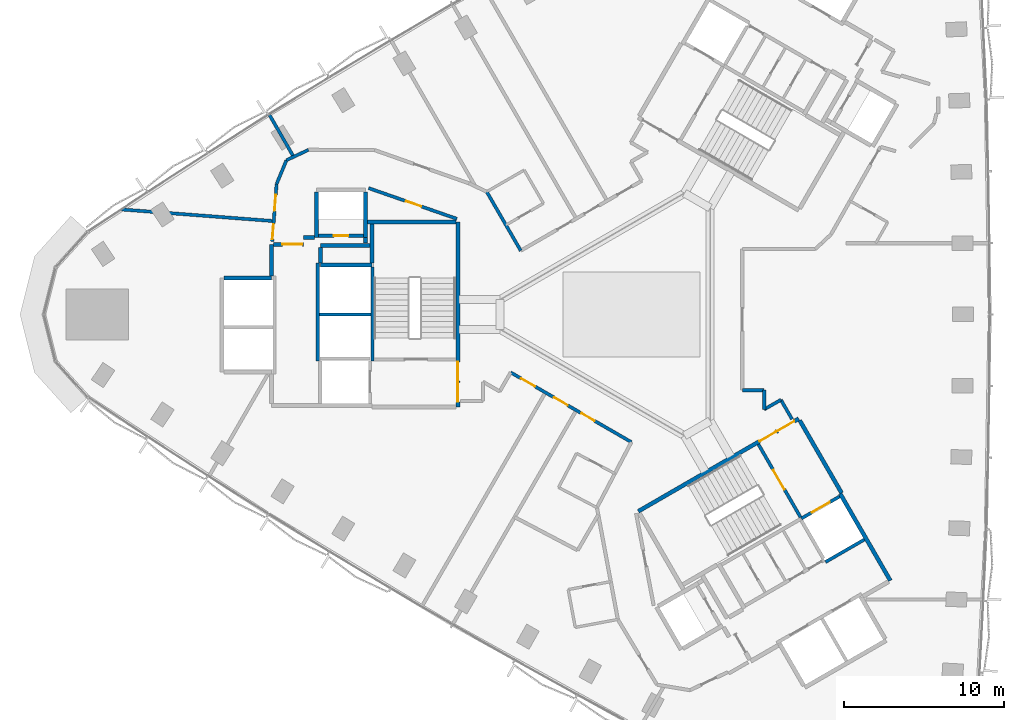
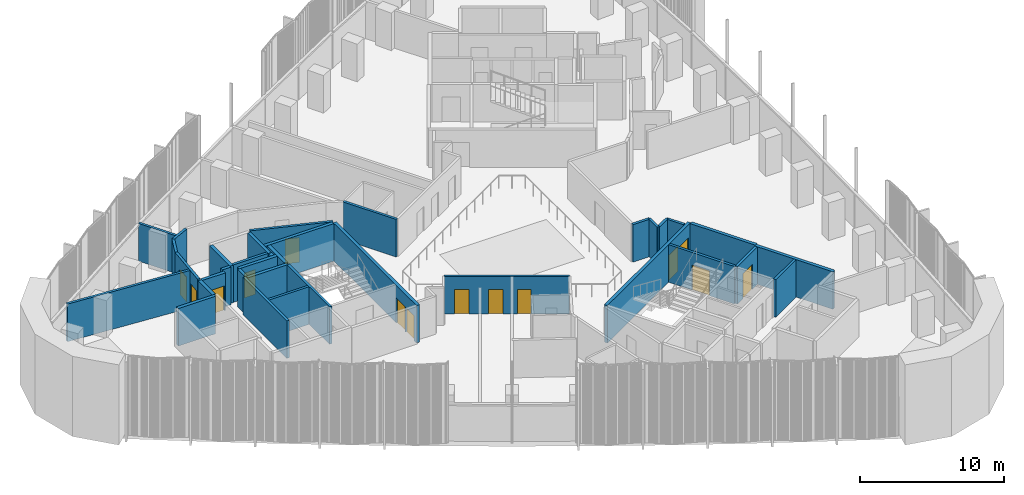
# One storey, part 9 of 15: 35 walls, 14 doors, 14 openings.
"""IFC4 building model written with IfcOpenShell, lengths in metres."""

from ifc_helpers import new_model, si_unit, direction, frame, frame_2d, origin, place, context, subcontext, project, spatial, rectangle, extrude, material, layer, layer_set, type_object, element, fill, save


model = new_model("IFC4")

# Units and contexts
model_context = context("Model", 3, precision=1e-05, world=origin(), true_north=direction((0.0, 1.0)))
body_context = subcontext(model_context, "Body", "Model", "MODEL_VIEW")
ifc_project = project(units=[si_unit("LENGTHUNIT", "METRE"), si_unit("AREAUNIT", "SQUARE_METRE"), si_unit("VOLUMEUNIT", "CUBIC_METRE"), si_unit("PLANEANGLEUNIT", "RADIAN"), si_unit("MASSUNIT", "GRAM", prefix="KILO")], contexts=[model_context])

# Site, building, storey
site_placement = place(None, origin())
site = spatial("IfcSite", under=ifc_project, at=site_placement, CompositionType="ELEMENT")
building_placement = place(site_placement, origin())
building = spatial("IfcBuilding", under=site, at=building_placement, Name="Tamra Quay Hotel Tower", CompositionType="ELEMENT")
storey_placement = place(building_placement, frame((0.0, 0.0, 79.39990234375)))
storey = spatial("IfcBuildingStorey", under=building, at=storey_placement, Name="L18", CompositionType="ELEMENT", Elevation=79.39990234375)

# Walls
ifc_material_1 = material(Name="Concrete M70", Category="concrete")
ifc_layer_1 = layer(ifc_material_1, 0.199951171875)
ifc_layer_set_1 = layer_set([ifc_layer_1], Name="Concrete M70 core wall 200")
wall_type_1 = type_object("IfcWallType", Name="Concrete M70 core wall 200", PredefinedType="SHEAR", material=ifc_layer_set_1)
wall_1_placement = place(storey_placement, frame((-16.162109375, 2.95068359375, 0.0), z_axis=(0.0, 0.0, 1.0), x_axis=(0.0, -1.0, 0.0)))
element("IfcWall", 1, at=wall_1_placement, inside=storey, type_object=wall_type_1, Name="CW2", PredefinedType="SHEAR", context=body_context, shape_type="SweptSolid", body=[
    extrude(rectangle(XDim=5.850830078125, YDim=0.199951171875, at=frame_2d((2.92529296875, 0.0))), origin(), (0.0, 0.0, 1.0), 3.175048828125),
])
wall_2_placement = place(storey_placement, frame((-19.5625, -2.900146484375, 0.0), z_axis=(0.0, 0.0, 1.0), x_axis=(0.0, 1.0, 0.0)))
element("IfcWall", 2, at=wall_2_placement, inside=storey, type_object=wall_type_1, Name="CW2", PredefinedType="SHEAR", context=body_context, shape_type="SweptSolid", body=[
    extrude(rectangle(XDim=6.100341796875, YDim=0.199951171875, at=frame_2d((3.05029296875, 0.0))), origin(), (0.0, 0.0, 1.0), 3.175048828125),
])
wall_3_placement = place(storey_placement, frame((-16.26318359375, 0.0, 0.0), z_axis=(0.0, 0.0, 1.0), x_axis=(-1.0, 0.0, 0.0)))
element("IfcWall", 3, at=wall_3_placement, inside=storey, type_object=wall_type_1, Name="CW2", PredefinedType="SHEAR", context=body_context, shape_type="SweptSolid", body=[
    extrude(rectangle(XDim=3.1982421875, YDim=0.199951171875, at=frame_2d((1.59912109375, 0.0))), origin(), (0.0, 0.0, 1.0), 3.175048828125),
])

# Wall, opening, door
wall_4_placement = place(storey_placement, frame((-19.51123046875, 4.91015625, 0.0), z_axis=(0.0, 0.0, 1.0), x_axis=(1.0, 0.0, 0.0)))
wall_4 = element("IfcWall", 4, at=wall_4_placement, inside=storey, type_object=wall_type_1, Name="CW2", PredefinedType="SHEAR", context=body_context, shape_type="SweptSolid", body=[
    extrude(rectangle(XDim=2.7978515625, YDim=0.199951171875, at=frame_2d((1.39892578125, 0.0))), origin(), (0.0, 0.0, 1.0), 3.175048828125),
])
opening_1_placement = place(wall_4_placement, frame((0.948974609375, 0.0, 0.0)))
opening_1 = element("IfcOpeningElement", 5, at=opening_1_placement, cuts=wall_4, Name="Opening D1", PredefinedType="OPENING", context=body_context, shape_type="SweptSolid", body=[
    extrude(rectangle(XDim=0.89990234375, YDim=2.10009765625, at=frame_2d((0.449951171875, 1.050048828125))), frame((0.0, 0.10986328125, 0.0), z_axis=(0.0, -1.0, 0.0), x_axis=(1.0, 0.0, 0.0)), (0.0, 0.0, 1.0), 0.219970703125),
])
ifc_material_2 = material(Name="Core door D1 900x2100 LH")
door_type_1 = type_object("IfcDoorType", Name="Core door D1 900x2100 LH", OperationType="NOTDEFINED", PredefinedType="DOOR", material=ifc_material_2)
door_1_placement = place(opening_1_placement, origin())
door_1 = element("IfcDoor", 6, at=door_1_placement, inside=storey, type_object=door_type_1, Name="D1", OperationType="SINGLE_SWING_LEFT", OverallHeight=2.10009765625, OverallWidth=0.89990234375, PredefinedType="DOOR", context=body_context, shape_type="SweptSolid", body=[
    extrude(rectangle(XDim=0.89990234375, YDim=2.10009765625, at=frame_2d((0.449951171875, 1.050048828125))), frame((0.0, 0.02490234375, 0.0), z_axis=(0.0, -1.0, 0.0), x_axis=(1.0, 0.0, 0.0)), (0.0, 0.0, 1.0), 0.050048828125),
])
fill(opening_1, door_1)

wall_5_placement = place(storey_placement, frame((7.906494140625, -8.094482421875, 0.0), z_axis=(0.0, 0.0, 1.0), x_axis=(0.500024287448, -0.866011380966, 0.0)))
wall_5 = element("IfcWall", 7, at=wall_5_placement, inside=storey, type_object=wall_type_1, Name="CW2", PredefinedType="SHEAR", context=body_context, shape_type="SweptSolid", body=[
    extrude(rectangle(XDim=5.251220703125, YDim=0.199951171875, at=frame_2d((2.62548828125, 0.0))), origin(), (0.0, 0.0, 1.0), 3.175048828125),
])
opening_2_placement = place(wall_5_placement, frame((1.84912109375, 0.0, 0.0)))
opening_2 = element("IfcOpeningElement", 8, at=opening_2_placement, cuts=wall_5, Name="Opening FD2", PredefinedType="OPENING", context=body_context, shape_type="SweptSolid", body=[
    extrude(rectangle(XDim=1.39990234375, YDim=2.10009765625, at=frame_2d((0.699951171875, 1.050048828125))), frame((0.0, 0.10986328125, 0.0), z_axis=(0.0, -1.0, 0.0), x_axis=(1.0, 0.0, 0.0)), (0.0, 0.0, 1.0), 0.219970703125),
])
ifc_material_3 = material(Name="Core door FD2 1400x2100 LH")
door_type_2 = type_object("IfcDoorType", Name="Core door FD2 1400x2100 LH", OperationType="NOTDEFINED", PredefinedType="DOOR", material=ifc_material_3)
door_2_placement = place(opening_2_placement, origin())
door_2 = element("IfcDoor", 9, at=door_2_placement, inside=storey, type_object=door_type_2, Name="FD2", OperationType="SINGLE_SWING_LEFT", OverallHeight=2.10009765625, OverallWidth=1.39990234375, PredefinedType="DOOR", context=body_context, shape_type="SweptSolid", body=[
    extrude(rectangle(XDim=1.39990234375, YDim=2.10009765625, at=frame_2d((0.699951171875, 1.050048828125))), frame((0.0, 0.02490234375, 0.0), z_axis=(0.0, -1.0, 0.0), x_axis=(1.0, 0.0, 0.0)), (0.0, 0.0, 1.0), 0.050048828125),
])
fill(opening_2, door_2)

wall_6_placement = place(storey_placement, frame((10.587158203125, -12.72314453125, 0.0), z_axis=(0.0, 0.0, 1.0), x_axis=(0.866037306777, 0.499979382845, 0.0)))
wall_6 = element("IfcWall", 10, at=wall_6_placement, inside=storey, type_object=wall_type_1, Name="CW2", PredefinedType="SHEAR", context=body_context, shape_type="SweptSolid", body=[
    extrude(rectangle(XDim=2.74169921875, YDim=0.199951171875, at=frame_2d((1.370849609375, 0.0))), origin(), (0.0, 0.0, 1.0), 3.175048828125),
])
opening_3_placement = place(wall_6_placement, frame((0.742919921875, 0.0, 0.0)))
opening_3 = element("IfcOpeningElement", 11, at=opening_3_placement, cuts=wall_6, Name="Opening LD", PredefinedType="OPENING", context=body_context, shape_type="SweptSolid", body=[
    extrude(rectangle(XDim=1.300048828125, YDim=2.10009765625, at=frame_2d((0.64990234375, 1.050048828125))), frame((0.0, 0.10986328125, 0.0), z_axis=(0.0, -1.0, 0.0), x_axis=(1.0, 0.0, 0.0)), (0.0, 0.0, 1.0), 0.219970703125),
])
ifc_material_4 = material(Name="Landing door LD 1300 sliding to left")
door_type_3 = type_object("IfcDoorType", Name="Landing door LD 1300 sliding to left", OperationType="NOTDEFINED", PredefinedType="DOOR", material=ifc_material_4)
door_3_placement = place(opening_3_placement, origin())
door_3 = element("IfcDoor", 12, at=door_3_placement, inside=storey, type_object=door_type_3, Name="LD", OperationType="SLIDING_TO_LEFT", OverallHeight=2.10009765625, OverallWidth=1.300048828125, PredefinedType="DOOR", context=body_context, shape_type="SweptSolid", body=[
    extrude(rectangle(XDim=1.300048828125, YDim=2.10009765625, at=frame_2d((0.64990234375, 1.050048828125))), frame((0.0, 0.02490234375, 0.0), z_axis=(0.0, -1.0, 0.0), x_axis=(1.0, 0.0, 0.0)), (0.0, 0.0, 1.0), 0.050048828125),
])
fill(opening_3, door_3)

# Wall
wall_7_placement = place(storey_placement, frame((14.51171875, -14.037109375, 0.0), z_axis=(0.0, 0.0, 1.0), x_axis=(-0.866044696403, -0.499966582715, 0.0)))
element("IfcWall", 13, at=wall_7_placement, inside=storey, type_object=wall_type_1, Name="CW2", PredefinedType="SHEAR", context=body_context, shape_type="SweptSolid", body=[
    extrude(rectangle(XDim=2.799072265625, YDim=0.199951171875, at=frame_2d((1.3994140625, 0.0))), origin(), (0.0, 0.0, 1.0), 3.175048828125),
])

# Wall, openings, doors
ifc_layer_2 = layer(ifc_material_1, 0.25)
ifc_layer_set_2 = layer_set([ifc_layer_2], Name="Concrete M70 core wall 250")
wall_type_2 = type_object("IfcWallType", Name="Concrete M70 core wall 250", PredefinedType="SHEAR", material=ifc_layer_set_2)
wall_8_placement = place(storey_placement, frame((-10.83740234375, 5.77490234375, 0.0), z_axis=(0.0, 0.0, 1.0), x_axis=(0.0, -1.0, 0.0)))
wall_8 = element("IfcWall", 14, at=wall_8_placement, inside=storey, type_object=wall_type_2, Name="CW1", PredefinedType="SHEAR", context=body_context, shape_type="SweptSolid", body=[
    extrude(rectangle(XDim=11.5498046875, YDim=0.25, at=frame_2d((5.77490234375, 0.0))), origin(), (0.0, 0.0, 1.0), 3.175048828125),
])
opening_4_placement = place(wall_8_placement, frame((10.02490234375, 0.0, 0.0)))
opening_4 = element("IfcOpeningElement", 15, at=opening_4_placement, cuts=wall_8, Name="Opening FD1", PredefinedType="OPENING", context=body_context, shape_type="SweptSolid", body=[
    extrude(rectangle(XDim=1.199951171875, YDim=2.10009765625, at=frame_2d((0.60009765625, 1.050048828125))), frame((0.0, 0.135009765625, 0.0), z_axis=(0.0, -1.0, 0.0), x_axis=(1.0, 0.0, 0.0)), (0.0, 0.0, 1.0), 0.27001953125),
])
opening_5_placement = place(wall_8_placement, frame((8.72509765625, 0.0, 0.0)))
opening_5 = element("IfcOpeningElement", 16, at=opening_5_placement, cuts=wall_8, Name="Opening FD1", PredefinedType="OPENING", context=body_context, shape_type="SweptSolid", body=[
    extrude(rectangle(XDim=1.199951171875, YDim=2.10009765625, at=frame_2d((0.60009765625, 1.050048828125))), frame((0.0, 0.135009765625, 0.0), z_axis=(0.0, -1.0, 0.0), x_axis=(1.0, 0.0, 0.0)), (0.0, 0.0, 1.0), 0.27001953125),
])
ifc_material_5 = material(Name="Core door FD1 1200x2100 LH")
door_type_4 = type_object("IfcDoorType", Name="Core door FD1 1200x2100 LH", OperationType="NOTDEFINED", PredefinedType="DOOR", material=ifc_material_5)
door_4_placement = place(opening_4_placement, origin())
door_4 = element("IfcDoor", 17, at=door_4_placement, inside=storey, type_object=door_type_4, Name="FD1", OperationType="SINGLE_SWING_LEFT", OverallHeight=2.10009765625, OverallWidth=1.199951171875, PredefinedType="DOOR", context=body_context, shape_type="SweptSolid", body=[
    extrude(rectangle(XDim=1.199951171875, YDim=2.10009765625, at=frame_2d((0.60009765625, 1.050048828125))), frame((0.0, 0.02490234375, 0.0), z_axis=(0.0, -1.0, 0.0), x_axis=(1.0, 0.0, 0.0)), (0.0, 0.0, 1.0), 0.050048828125),
])
fill(opening_4, door_4)
ifc_material_6 = material(Name="Core door FD1 1200x2100 RH")
door_type_5 = type_object("IfcDoorType", Name="Core door FD1 1200x2100 RH", OperationType="NOTDEFINED", PredefinedType="DOOR", material=ifc_material_6)
door_5_placement = place(opening_5_placement, origin())
door_5 = element("IfcDoor", 18, at=door_5_placement, inside=storey, type_object=door_type_5, Name="FD1", OperationType="SINGLE_SWING_RIGHT", OverallHeight=2.10009765625, OverallWidth=1.199951171875, PredefinedType="DOOR", context=body_context, shape_type="SweptSolid", body=[
    extrude(rectangle(XDim=1.199951171875, YDim=2.10009765625, at=frame_2d((0.60009765625, 1.050048828125))), frame((0.0, 0.02490234375, 0.0), z_axis=(0.0, -1.0, 0.0), x_axis=(1.0, 0.0, 0.0)), (0.0, 0.0, 1.0), 0.050048828125),
])
fill(opening_5, door_5)

# Walls
wall_9_placement = place(storey_placement, frame((-16.47216796875, 5.77490234375, 0.0), z_axis=(0.0, 0.0, 1.0), x_axis=(1.0, 0.0, 0.0)))
element("IfcWall", 19, at=wall_9_placement, inside=storey, type_object=wall_type_2, Name="CW1", PredefinedType="SHEAR", context=body_context, shape_type="SweptSolid", body=[
    extrude(rectangle(XDim=5.509521484375, YDim=0.25, at=frame_2d((2.7548828125, 0.0))), origin(), (0.0, 0.0, 1.0), 3.175048828125),
])
wall_10_placement = place(storey_placement, frame((-19.38720703125, 3.074951171875, 0.0), z_axis=(0.0, 0.0, 1.0), x_axis=(1.0, 0.0, 0.0)))
element("IfcWall", 20, at=wall_10_placement, inside=storey, type_object=wall_type_2, Name="CW1", PredefinedType="SHEAR", context=body_context, shape_type="SweptSolid", body=[
    extrude(rectangle(XDim=3.199951171875, YDim=0.25, at=frame_2d((1.60009765625, 0.0))), origin(), (0.0, 0.0, 1.0), 3.175048828125),
])
wall_11_placement = place(storey_placement, frame((-25.411865234375, 2.27490234375, 0.0), z_axis=(0.0, 0.0, 1.0), x_axis=(1.0, 0.0, 0.0)))
element("IfcWall", 21, at=wall_11_placement, inside=storey, type_object=wall_type_2, Name="CW1", PredefinedType="SHEAR", context=body_context, shape_type="SweptSolid", body=[
    extrude(rectangle(XDim=2.974609375, YDim=0.25, at=frame_2d((1.4873046875, 0.0))), origin(), (0.0, 0.0, 1.0), 3.175048828125),
])
for number, where, z_axis, x_axis, name in (
    (22, (-16.58740234375, 7.649658203125, 0.0), (0.0, 0.0, 1.0), (0.0, -1.0, 0.0), "CW1"),
    (23, (-19.63720703125, 4.784912109375, 0.0), (0.0, 0.0, 1.0), (0.0, 1.0, 0.0), "CW1"),
):
    element("IfcWall", number, at=place(storey_placement, frame(where, z_axis=z_axis, x_axis=x_axis)), inside=storey, type_object=wall_type_2, Name=name, PredefinedType="SHEAR", context=body_context, shape_type="SweptSolid", body=[
        extrude(rectangle(XDim=2.86474609375, YDim=0.25, at=frame_2d((1.432373046875, 0.0))), origin(), (0.0, 0.0, 1.0), 3.175048828125),
    ])
wall_12_placement = place(storey_placement, frame((-16.30224609375, 4.31494140625, 0.0), z_axis=(0.0, 0.0, 1.0), x_axis=(-1.0, 0.0, 0.0)))
element("IfcWall", 24, at=wall_12_placement, inside=storey, type_object=wall_type_2, Name="CW1", PredefinedType="SHEAR", context=body_context, shape_type="SweptSolid", body=[
    extrude(rectangle(XDim=3.0849609375, YDim=0.25, at=frame_2d((1.54248046875, 0.0))), origin(), (0.0, 0.0, 1.0), 3.175048828125),
])
wall_13_placement = place(storey_placement, frame((-16.187255859375, 3.200439453125, 0.0), z_axis=(0.0, 0.0, 1.0), x_axis=(0.0, 1.0, 0.0)))
element("IfcWall", 25, at=wall_13_placement, inside=storey, type_object=wall_type_2, Name="CW1", PredefinedType="SHEAR", context=body_context, shape_type="SweptSolid", body=[
    extrude(rectangle(XDim=2.44921875, YDim=0.25, at=frame_2d((1.224609375, 0.0))), origin(), (0.0, 0.0, 1.0), 3.175048828125),
])
wall_14_placement = place(storey_placement, frame((-22.437255859375, 2.400390625, 0.0), z_axis=(0.0, 0.0, 1.0), x_axis=(0.0, 1.0, 0.0)))
element("IfcWall", 26, at=wall_14_placement, inside=storey, type_object=wall_type_2, Name="CW1", PredefinedType="SHEAR", context=body_context, shape_type="SweptSolid", body=[
    extrude(rectangle(XDim=1.974609375, YDim=0.25, at=frame_2d((0.9873046875, 0.0))), origin(), (0.0, 0.0, 1.0), 3.175048828125),
])

# Wall, opening, door
wall_15_placement = place(storey_placement, frame((-22.311767578125, 4.375, 0.0), z_axis=(0.0, 0.0, 1.0), x_axis=(1.0, 0.0, 0.0)))
wall_15 = element("IfcWall", 27, at=wall_15_placement, inside=storey, type_object=wall_type_2, Name="CW1", PredefinedType="SHEAR", context=body_context, shape_type="SweptSolid", body=[
    extrude(rectangle(XDim=1.864501953125, YDim=0.25, at=frame_2d((0.93212890625, 0.0))), origin(), (0.0, 0.0, 1.0), 3.175048828125),
])
opening_6_placement = place(wall_15_placement, frame((0.53466796875, 0.0, 0.0)))
opening_6 = element("IfcOpeningElement", 28, at=opening_6_placement, cuts=wall_15, Name="Opening FD3", PredefinedType="OPENING", context=body_context, shape_type="SweptSolid", body=[
    extrude(rectangle(XDim=1.25, YDim=2.10009765625, at=frame_2d((0.625, 1.050048828125))), frame((0.0, 0.135009765625, 0.0), z_axis=(0.0, -1.0, 0.0), x_axis=(1.0, 0.0, 0.0)), (0.0, 0.0, 1.0), 0.27001953125),
])
ifc_material_7 = material(Name="Core door FD3 1250x2100 LH")
door_type_6 = type_object("IfcDoorType", Name="Core door FD3 1250x2100 LH", OperationType="NOTDEFINED", PredefinedType="DOOR", material=ifc_material_7)
door_6_placement = place(opening_6_placement, origin())
door_6 = element("IfcDoor", 29, at=door_6_placement, inside=storey, type_object=door_type_6, Name="FD3", OperationType="SINGLE_SWING_LEFT", OverallHeight=2.10009765625, OverallWidth=1.25, PredefinedType="DOOR", context=body_context, shape_type="SweptSolid", body=[
    extrude(rectangle(XDim=1.25, YDim=2.10009765625, at=frame_2d((0.625, 1.050048828125))), frame((0.0, 0.02490234375, 0.0), z_axis=(0.0, -1.0, 0.0), x_axis=(1.0, 0.0, 0.0)), (0.0, 0.0, 1.0), 0.050048828125),
])
fill(opening_6, door_6)

# Walls
wall_16_placement = place(storey_placement, frame((-19.38720703125, 4.189697265625, 0.0), z_axis=(0.0, 0.0, 1.0), x_axis=(0.0, -1.0, 0.0)))
element("IfcWall", 30, at=wall_16_placement, inside=storey, type_object=wall_type_2, Name="CW1", PredefinedType="SHEAR", context=body_context, shape_type="SweptSolid", body=[
    extrude(rectangle(XDim=0.9892578125, YDim=0.25, at=frame_2d((0.49462890625, 0.0))), origin(), (0.0, 0.0, 1.0), 3.175048828125),
])
wall_17_placement = place(storey_placement, frame((-20.447265625, 4.784912109375, 0.0), z_axis=(0.0, 0.0, 1.0), x_axis=(1.0, 0.0, 0.0)))
element("IfcWall", 31, at=wall_17_placement, inside=storey, type_object=wall_type_2, Name="CW1", PredefinedType="SHEAR", context=body_context, shape_type="SweptSolid", body=[
    extrude(rectangle(XDim=0.6845703125, YDim=0.25, at=frame_2d((0.34228515625, 0.0))), origin(), (0.0, 0.0, 1.0), 3.175048828125),
])
wall_18_placement = place(storey_placement, frame((-16.577392578125, 4.784912109375, 0.0), z_axis=(0.0, 0.0, 1.0), x_axis=(0.0, -1.0, 0.0)))
element("IfcWall", 32, at=wall_18_placement, inside=storey, type_object=wall_type_2, Name="CW1", PredefinedType="SHEAR", context=body_context, shape_type="SweptSolid", body=[
    extrude(rectangle(XDim=0.344482421875, YDim=0.25, at=frame_2d((0.17236328125, 0.0))), origin(), (0.0, 0.0, 1.0), 3.175048828125),
])

# Wall, openings, doors
wall_19_placement = place(storey_placement, frame((0.417236328125, -12.27294921875, 0.0), z_axis=(0.0, 0.0, 1.0), x_axis=(0.866021906294, 0.500006057782, 0.0)))
wall_19 = element("IfcWall", 33, at=wall_19_placement, inside=storey, type_object=wall_type_2, Name="CW1", PredefinedType="SHEAR", context=body_context, shape_type="SweptSolid", body=[
    extrude(rectangle(XDim=11.550048828125, YDim=0.25, at=frame_2d((5.77490234375, 0.0))), origin(), (0.0, 0.0, 1.0), 3.175048828125),
])
opening_7_placement = place(wall_19_placement, frame((10.024658203125, 0.0, 0.0)))
opening_7 = element("IfcOpeningElement", 34, at=opening_7_placement, cuts=wall_19, Name="Opening FD1", PredefinedType="OPENING", context=body_context, shape_type="SweptSolid", body=[
    extrude(rectangle(XDim=1.199951171875, YDim=2.10009765625, at=frame_2d((0.60009765625, 1.050048828125))), frame((0.0, 0.135009765625, 0.0), z_axis=(0.0, -1.0, 0.0), x_axis=(1.0, 0.0, 0.0)), (0.0, 0.0, 1.0), 0.27001953125),
])
opening_8_placement = place(wall_19_placement, frame((8.724609375, 0.0, 0.0)))
opening_8 = element("IfcOpeningElement", 35, at=opening_8_placement, cuts=wall_19, Name="Opening FD1", PredefinedType="OPENING", context=body_context, shape_type="SweptSolid", body=[
    extrude(rectangle(XDim=1.199951171875, YDim=2.10009765625, at=frame_2d((0.60009765625, 1.050048828125))), frame((0.0, 0.135009765625, 0.0), z_axis=(0.0, -1.0, 0.0), x_axis=(1.0, 0.0, 0.0)), (0.0, 0.0, 1.0), 0.27001953125),
])
door_7_placement = place(opening_7_placement, origin())
door_7 = element("IfcDoor", 36, at=door_7_placement, inside=storey, type_object=door_type_4, Name="FD1", OperationType="SINGLE_SWING_LEFT", OverallHeight=2.10009765625, OverallWidth=1.199951171875, PredefinedType="DOOR", context=body_context, shape_type="SweptSolid", body=[
    extrude(rectangle(XDim=1.199951171875, YDim=2.10009765625, at=frame_2d((0.60009765625, 1.050048828125))), frame((0.0, 0.02490234375, 0.0), z_axis=(0.0, -1.0, 0.0), x_axis=(1.0, 0.0, 0.0)), (0.0, 0.0, 1.0), 0.050048828125),
])
fill(opening_7, door_7)
door_8_placement = place(opening_8_placement, origin())
door_8 = element("IfcDoor", 37, at=door_8_placement, inside=storey, type_object=door_type_5, Name="FD1", OperationType="SINGLE_SWING_RIGHT", OverallHeight=2.10009765625, OverallWidth=1.199951171875, PredefinedType="DOOR", context=body_context, shape_type="SweptSolid", body=[
    extrude(rectangle(XDim=1.199951171875, YDim=2.10009765625, at=frame_2d((0.60009765625, 1.050048828125))), frame((0.0, 0.02490234375, 0.0), z_axis=(0.0, -1.0, 0.0), x_axis=(1.0, 0.0, 0.0)), (0.0, 0.0, 1.0), 0.050048828125),
])
fill(opening_8, door_8)

# Walls
wall_20_placement = place(storey_placement, frame((13.00830078125, -11.18115234375, 0.0), z_axis=(0.0, 0.0, 1.0), x_axis=(0.500004234368, -0.866022959057, 0.0)))
element("IfcWall", 38, at=wall_20_placement, inside=storey, type_object=wall_type_2, Name="CW1", PredefinedType="SHEAR", context=body_context, shape_type="SweptSolid", body=[
    extrude(rectangle(XDim=6.25, YDim=0.25, at=frame_2d((3.125, 0.0))), origin(), (0.0, 0.0, 1.0), 3.175048828125),
])
wall_21_placement = place(storey_placement, frame((10.482666015625, -6.6064453125, 0.0), z_axis=(0.0, 0.0, 1.0), x_axis=(0.49999885962, -0.866026062182, 0.0)))
element("IfcWall", 39, at=wall_21_placement, inside=storey, type_object=wall_type_2, Name="CW1", PredefinedType="SHEAR", context=body_context, shape_type="SweptSolid", body=[
    extrude(rectangle(XDim=5.224609375, YDim=0.25, at=frame_2d((2.6123046875, 0.0))), origin(), (0.0, 0.0, 1.0), 3.175048828125),
])

# Wall, openings, doors
ifc_material_8 = material(Name="Partition corridor wall")
ifc_layer_3 = layer(ifc_material_8, 0.199951171875)
ifc_layer_set_3 = layer_set([ifc_layer_3], Name="Partition corridor wall")
wall_type_3 = type_object("IfcWallType", Name="Partition corridor wall", PredefinedType="PARTITIONING", material=ifc_layer_set_3)
wall_22_placement = place(storey_placement, frame((-22.407470703125, 4.56005859375, 0.0), z_axis=(0.0, 0.0, 1.0), x_axis=(0.076237605041, 0.997089678804, 0.0)))
wall_22 = element("IfcWall", 40, at=wall_22_placement, inside=storey, type_object=wall_type_3, Name="W-C", PredefinedType="PARTITIONING", context=body_context, shape_type="SweptSolid", body=[
    extrude(rectangle(XDim=3.580322265625, YDim=0.199951171875, at=frame_2d((1.7900390625, 0.0))), origin(), (0.0, 0.0, 1.0), 3.175048828125),
])
opening_9_placement = place(wall_22_placement, frame((0.139892578125, 0.0, 0.0)))
opening_9 = element("IfcOpeningElement", 41, at=opening_9_placement, cuts=wall_22, Name="Opening L18-D010", PredefinedType="OPENING", context=body_context, shape_type="SweptSolid", body=[
    extrude(rectangle(XDim=0.93994140625, YDim=2.10009765625, at=frame_2d((0.469970703125, 1.050048828125))), frame((0.0, 0.10986328125, 0.0), z_axis=(0.0, -1.0, 0.0), x_axis=(1.0, 0.0, 0.0)), (0.0, 0.0, 1.0), 0.219970703125),
])
opening_10_placement = place(wall_22_placement, frame((1.9169921875, 0.0, 0.0)))
opening_10 = element("IfcOpeningElement", 42, at=opening_10_placement, cuts=wall_22, Name="Opening L18-D011", PredefinedType="OPENING", context=body_context, shape_type="SweptSolid", body=[
    extrude(rectangle(XDim=1.0, YDim=2.10009765625, at=frame_2d((0.5, 1.050048828125))), frame((0.0, 0.10986328125, 0.0), z_axis=(0.0, -1.0, 0.0), x_axis=(1.0, 0.0, 0.0)), (0.0, 0.0, 1.0), 0.219970703125),
])
ifc_material_9 = material(Name="Door guest room 1000x2100")
door_type_7 = type_object("IfcDoorType", Name="Door guest room 1000x2100", OperationType="NOTDEFINED", PredefinedType="DOOR", material=ifc_material_9)
door_9_placement = place(opening_10_placement, origin())
door_9 = element("IfcDoor", 43, at=door_9_placement, inside=storey, type_object=door_type_7, Name="L18-D011", OperationType="SINGLE_SWING_LEFT", OverallHeight=2.10009765625, OverallWidth=1.0, PredefinedType="DOOR", context=body_context, shape_type="SweptSolid", body=[
    extrude(rectangle(XDim=1.0, YDim=2.10009765625, at=frame_2d((0.5, 1.050048828125))), frame((0.0, 0.02490234375, 0.0), z_axis=(0.0, -1.0, 0.0), x_axis=(1.0, 0.0, 0.0)), (0.0, 0.0, 1.0), 0.050048828125),
])
fill(opening_10, door_9)
ifc_material_10 = material(Name="Door guest room 940x2100")
door_type_8 = type_object("IfcDoorType", Name="Door guest room 940x2100", OperationType="NOTDEFINED", PredefinedType="DOOR", material=ifc_material_10)
door_10_placement = place(opening_9_placement, origin())
door_10 = element("IfcDoor", 44, at=door_10_placement, inside=storey, type_object=door_type_8, Name="L18-D010", OperationType="SINGLE_SWING_LEFT", OverallHeight=2.10009765625, OverallWidth=0.93994140625, PredefinedType="DOOR", context=body_context, shape_type="SweptSolid", body=[
    extrude(rectangle(XDim=0.93994140625, YDim=2.10009765625, at=frame_2d((0.469970703125, 1.050048828125))), frame((0.0, 0.02490234375, 0.0), z_axis=(0.0, -1.0, 0.0), x_axis=(1.0, 0.0, 0.0)), (0.0, 0.0, 1.0), 0.050048828125),
])
fill(opening_9, door_10)

# Walls
wall_23_placement = place(storey_placement, frame((-22.135009765625, 8.134033203125, 0.0), z_axis=(0.0, 0.0, 1.0), x_axis=(0.383208453534, 0.923661886807, 0.0)))
element("IfcWall", 45, at=wall_23_placement, inside=storey, type_object=wall_type_3, Name="W-C", PredefinedType="PARTITIONING", context=body_context, shape_type="SweptSolid", body=[
    extrude(rectangle(XDim=1.602294921875, YDim=0.199951171875, at=frame_2d((0.80126953125, 0.0))), origin(), (0.0, 0.0, 1.0), 3.175048828125),
])
wall_24_placement = place(storey_placement, frame((-21.521240234375, 9.614501953125, 0.0), z_axis=(0.0, 0.0, 1.0), x_axis=(0.904236611454, 0.427031790979, 0.0)))
element("IfcWall", 46, at=wall_24_placement, inside=storey, type_object=wall_type_3, Name="W-C", PredefinedType="PARTITIONING", context=body_context, shape_type="SweptSolid", body=[
    extrude(rectangle(XDim=1.52294921875, YDim=0.199951171875, at=frame_2d((0.761474609375, 0.0))), origin(), (0.0, 0.0, 1.0), 3.175048828125),
])

# Wall, opening, door
wall_25_placement = place(storey_placement, frame((-16.40234375, 7.879150390625, 0.0), z_axis=(0.0, 0.0, 1.0), x_axis=(0.94449961557, -0.328512520596, 0.0)))
wall_25 = element("IfcWall", 47, at=wall_25_placement, inside=storey, type_object=wall_type_3, Name="W-C", PredefinedType="PARTITIONING", context=body_context, shape_type="SweptSolid", body=[
    extrude(rectangle(XDim=5.842041015625, YDim=0.199951171875, at=frame_2d((2.9208984375, 0.0))), origin(), (0.0, 0.0, 1.0), 3.175048828125),
])
opening_11_placement = place(wall_25_placement, frame((2.47900390625, 0.0, 0.0)))
opening_11 = element("IfcOpeningElement", 48, at=opening_11_placement, cuts=wall_25, Name="Opening L18-D008", PredefinedType="OPENING", context=body_context, shape_type="SweptSolid", body=[
    extrude(rectangle(XDim=1.0, YDim=2.10009765625, at=frame_2d((0.5, 1.050048828125))), frame((0.0, 0.10986328125, 0.0), z_axis=(0.0, -1.0, 0.0), x_axis=(1.0, 0.0, 0.0)), (0.0, 0.0, 1.0), 0.219970703125),
])
door_11_placement = place(opening_11_placement, frame((1.0, 0.0, 0.0), z_axis=(0.0, 0.0, 1.0), x_axis=(-1.0, 0.0, 0.0)))
door_11 = element("IfcDoor", 49, at=door_11_placement, inside=storey, type_object=door_type_7, Name="L18-D008", OperationType="SINGLE_SWING_LEFT", OverallHeight=2.10009765625, OverallWidth=1.0, PredefinedType="DOOR", context=body_context, shape_type="SweptSolid", body=[
    extrude(rectangle(XDim=1.0, YDim=2.10009765625, at=frame_2d((0.5, 1.050048828125))), frame((0.0, 0.02490234375, 0.0), z_axis=(0.0, -1.0, 0.0), x_axis=(1.0, 0.0, 0.0)), (0.0, 0.0, 1.0), 0.050048828125),
])
fill(opening_11, door_11)

# Wall
wall_26_placement = place(storey_placement, frame((-9.033203125, 7.65185546875, 0.0), z_axis=(0.0, 0.0, 1.0), x_axis=(0.500117520489, -0.865957542666, 0.0)))
element("IfcWall", 50, at=wall_26_placement, inside=storey, type_object=wall_type_3, Name="W-C", PredefinedType="PARTITIONING", context=body_context, shape_type="SweptSolid", body=[
    extrude(rectangle(XDim=4.24365234375, YDim=0.199951171875, at=frame_2d((2.121826171875, 0.0))), origin(), (0.0, 0.0, 1.0), 3.175048828125),
])

# Wall, openings, doors
wall_27_placement = place(storey_placement, frame((-7.5390625, -3.614990234375, 0.0), z_axis=(0.0, 0.0, 1.0), x_axis=(0.866057854762, -0.499943789046, 0.0)))
wall_27 = element("IfcWall", 51, at=wall_27_placement, inside=storey, type_object=wall_type_3, Name="W-C", PredefinedType="PARTITIONING", context=body_context, shape_type="SweptSolid", body=[
    extrude(rectangle(XDim=8.68896484375, YDim=0.199951171875, at=frame_2d((4.344482421875, 0.0))), origin(), (0.0, 0.0, 1.0), 3.175048828125),
])
opening_12_placement = place(wall_27_placement, frame((0.755126953125, 0.0, 0.0)))
opening_12 = element("IfcOpeningElement", 52, at=opening_12_placement, cuts=wall_27, Name="Opening L18-D012", PredefinedType="OPENING", context=body_context, shape_type="SweptSolid", body=[
    extrude(rectangle(XDim=1.0, YDim=2.10009765625, at=frame_2d((0.5, 1.050048828125))), frame((0.0, 0.10986328125, 0.0), z_axis=(0.0, -1.0, 0.0), x_axis=(1.0, 0.0, 0.0)), (0.0, 0.0, 1.0), 0.219970703125),
])
opening_13_placement = place(wall_27_placement, frame((3.110107421875, 0.0, 0.0)))
opening_13 = element("IfcOpeningElement", 53, at=opening_13_placement, cuts=wall_27, Name="Opening L18-D013", PredefinedType="OPENING", context=body_context, shape_type="SweptSolid", body=[
    extrude(rectangle(XDim=1.0, YDim=2.10009765625, at=frame_2d((0.5, 1.050048828125))), frame((0.0, 0.10986328125, 0.0), z_axis=(0.0, -1.0, 0.0), x_axis=(1.0, 0.0, 0.0)), (0.0, 0.0, 1.0), 0.219970703125),
])
opening_14_placement = place(wall_27_placement, frame((5.0888671875, 0.0, 0.0)))
opening_14 = element("IfcOpeningElement", 54, at=opening_14_placement, cuts=wall_27, Name="Opening L18-D014", PredefinedType="OPENING", context=body_context, shape_type="SweptSolid", body=[
    extrude(rectangle(XDim=0.949951171875, YDim=2.10009765625, at=frame_2d((0.47509765625, 1.050048828125))), frame((0.0, 0.10986328125, 0.0), z_axis=(0.0, -1.0, 0.0), x_axis=(1.0, 0.0, 0.0)), (0.0, 0.0, 1.0), 0.219970703125),
])
door_12_placement = place(opening_12_placement, frame((1.0, 0.0, 0.0), z_axis=(0.0, 0.0, 1.0), x_axis=(-1.0, 0.0, 0.0)))
door_12 = element("IfcDoor", 55, at=door_12_placement, inside=storey, type_object=door_type_7, Name="L18-D012", OperationType="SINGLE_SWING_LEFT", OverallHeight=2.10009765625, OverallWidth=1.0, PredefinedType="DOOR", context=body_context, shape_type="SweptSolid", body=[
    extrude(rectangle(XDim=1.0, YDim=2.10009765625, at=frame_2d((0.5, 1.050048828125))), frame((0.0, 0.02490234375, 0.0), z_axis=(0.0, -1.0, 0.0), x_axis=(1.0, 0.0, 0.0)), (0.0, 0.0, 1.0), 0.050048828125),
])
fill(opening_12, door_12)
door_13_placement = place(opening_13_placement, frame((1.0, 0.0, 0.0), z_axis=(0.0, 0.0, 1.0), x_axis=(-1.0, 0.0, 0.0)))
door_13 = element("IfcDoor", 56, at=door_13_placement, inside=storey, type_object=door_type_7, Name="L18-D013", OperationType="SINGLE_SWING_LEFT", OverallHeight=2.10009765625, OverallWidth=1.0, PredefinedType="DOOR", context=body_context, shape_type="SweptSolid", body=[
    extrude(rectangle(XDim=1.0, YDim=2.10009765625, at=frame_2d((0.5, 1.050048828125))), frame((0.0, 0.02490234375, 0.0), z_axis=(0.0, -1.0, 0.0), x_axis=(1.0, 0.0, 0.0)), (0.0, 0.0, 1.0), 0.050048828125),
])
fill(opening_13, door_13)
ifc_material_11 = material(Name="Door guest room 950x2100")
door_type_9 = type_object("IfcDoorType", Name="Door guest room 950x2100", OperationType="NOTDEFINED", PredefinedType="DOOR", material=ifc_material_11)
door_14_placement = place(opening_14_placement, frame((0.949951171875, 0.0, 0.0), z_axis=(0.0, 0.0, 1.0), x_axis=(-1.0, 0.0, 0.0)))
door_14 = element("IfcDoor", 57, at=door_14_placement, inside=storey, type_object=door_type_9, Name="L18-D014", OperationType="SINGLE_SWING_LEFT", OverallHeight=2.10009765625, OverallWidth=0.949951171875, PredefinedType="DOOR", context=body_context, shape_type="SweptSolid", body=[
    extrude(rectangle(XDim=0.949951171875, YDim=2.10009765625, at=frame_2d((0.47509765625, 1.050048828125))), frame((0.0, 0.02490234375, 0.0), z_axis=(0.0, -1.0, 0.0), x_axis=(1.0, 0.0, 0.0)), (0.0, 0.0, 1.0), 0.050048828125),
])
fill(opening_14, door_14)

# Walls
wall_28_placement = place(storey_placement, frame((6.89990234375, -4.720947265625, 0.0), z_axis=(0.0, 0.0, 1.0), x_axis=(1.0, 0.0, 0.0)))
element("IfcWall", 58, at=wall_28_placement, inside=storey, type_object=wall_type_3, Name="W-C", PredefinedType="PARTITIONING", context=body_context, shape_type="SweptSolid", body=[
    extrude(rectangle(XDim=1.3681640625, YDim=0.199951171875, at=frame_2d((0.68408203125, 0.0))), origin(), (0.0, 0.0, 1.0), 3.175048828125),
])
wall_29_placement = place(storey_placement, frame((8.26806640625, -5.9208984375, 0.0), z_axis=(0.0, 0.0, 1.0), x_axis=(0.0, 1.0, 0.0)))
element("IfcWall", 59, at=wall_29_placement, inside=storey, type_object=wall_type_3, Name="W-C", PredefinedType="PARTITIONING", context=body_context, shape_type="SweptSolid", body=[
    extrude(rectangle(XDim=1.199951171875, YDim=0.199951171875, at=frame_2d((0.60009765625, 0.0))), origin(), (0.0, 0.0, 1.0), 3.175048828125),
])
wall_30_placement = place(storey_placement, frame((8.26806640625, -5.9208984375, 0.0), z_axis=(0.0, 0.0, 1.0), x_axis=(0.866344856625, 0.499446282797, 0.0)))
element("IfcWall", 60, at=wall_30_placement, inside=storey, type_object=wall_type_3, Name="W-C", PredefinedType="PARTITIONING", context=body_context, shape_type="SweptSolid", body=[
    extrude(rectangle(XDim=1.198974609375, YDim=0.199951171875, at=frame_2d((0.599609375, 0.0))), origin(), (0.0, 0.0, 1.0), 3.175048828125),
])
wall_31_placement = place(storey_placement, frame((9.306884765625, -5.322021484375, 0.0), z_axis=(0.0, 0.0, 1.0), x_axis=(0.500295157811, -0.865854927266, 0.0)))
element("IfcWall", 61, at=wall_31_placement, inside=storey, type_object=wall_type_3, Name="W-C", PredefinedType="PARTITIONING", context=body_context, shape_type="SweptSolid", body=[
    extrude(rectangle(XDim=1.389892578125, YDim=0.199951171875, at=frame_2d((0.69482421875, 0.0))), origin(), (0.0, 0.0, 1.0), 3.175048828125),
])
ifc_material_12 = material(Name="Partition party wall")
ifc_layer_4 = layer(ifc_material_12, 0.199951171875)
ifc_layer_set_4 = layer_set([ifc_layer_4], Name="Partition party wall")
wall_type_4 = type_object("IfcWallType", Name="Partition party wall", PredefinedType="PARTITIONING", material=ifc_layer_set_4)
wall_32_placement = place(storey_placement, frame((-31.80126953125, 6.54638671875, 0.0), z_axis=(0.0, 0.0, 1.0), x_axis=(0.997099133392, -0.076113850179, 0.0)))
element("IfcWall", 62, at=wall_32_placement, inside=storey, type_object=wall_type_4, Name="W-P", PredefinedType="PARTITIONING", context=body_context, shape_type="SweptSolid", body=[
    extrude(rectangle(XDim=9.516845703125, YDim=0.199951171875, at=frame_2d((4.75830078125, 0.0))), origin(), (0.0, 0.0, 1.0), 3.175048828125),
])
wall_33_placement = place(storey_placement, frame((-22.595703125, 12.473388671875, 0.0), z_axis=(0.0, 0.0, 1.0), x_axis=(0.499743222914, -0.866173603357, 0.0)))
element("IfcWall", 63, at=wall_33_placement, inside=storey, type_object=wall_type_4, Name="W-P", PredefinedType="PARTITIONING", context=body_context, shape_type="SweptSolid", body=[
    extrude(rectangle(XDim=3.052734375, YDim=0.199951171875, at=frame_2d((1.5263671875, 0.0))), origin(), (0.0, 0.0, 1.0), 3.175048828125),
])

save(model, "model.ifc")
